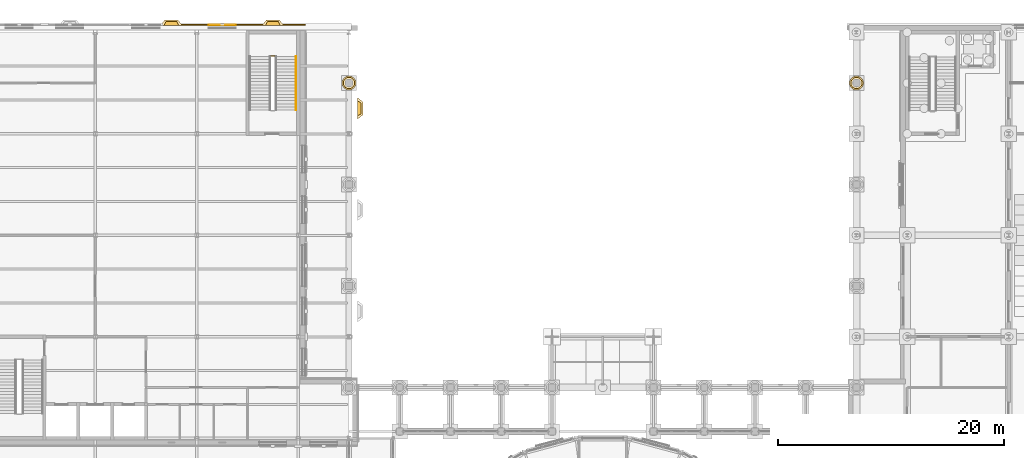
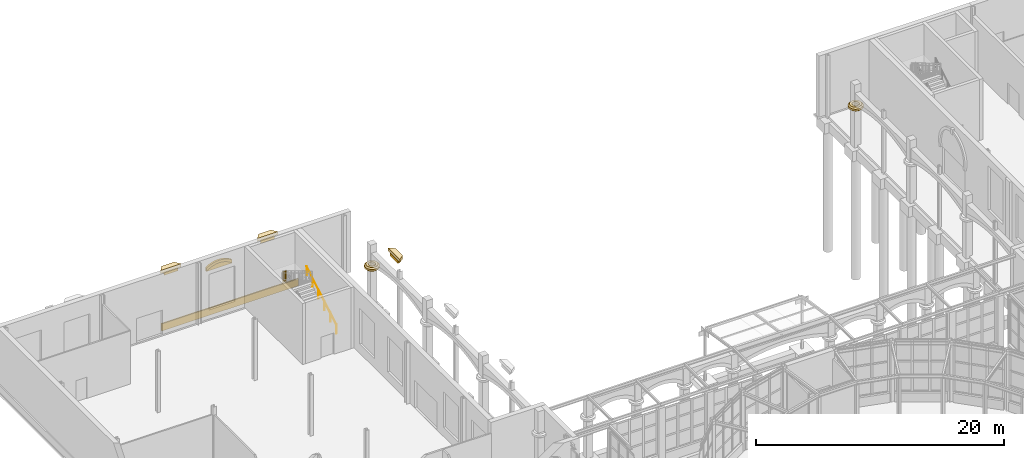
# One storey, part 99 of 106: 11 coverings, 2 railings.
"""IFC4 building model written with IfcOpenShell, lengths in metres."""

from ifc_helpers import new_model, entity, si_unit, direction, frame, origin, origin_2d, place, context, subcontext, project, spatial, polyline, rectangle, circle, outline, extrude, material, layer, layer_set, type_object, element, save


model = new_model("IFC4")

# Units and contexts
model_context = context("Model", 3, precision=1e-05, world=origin(), true_north=direction((0.0, 1.0)))
body_context = subcontext(model_context, "Body", "Model", "MODEL_VIEW")
ifc_project = project(units=[si_unit("LENGTHUNIT", "METRE"), si_unit("AREAUNIT", "SQUARE_METRE"), si_unit("VOLUMEUNIT", "CUBIC_METRE"), si_unit("PLANEANGLEUNIT", "RADIAN"), si_unit("MASSUNIT", "GRAM", prefix="KILO")], contexts=[model_context])

# Site, building, storey
site_placement = place(None, origin())
site = spatial("IfcSite", under=ifc_project, at=site_placement, CompositionType="ELEMENT")
building_placement = place(site_placement, origin())
building = spatial("IfcBuilding", under=site, at=building_placement, Name="Hortulan Conservatory and Botanical Research Centre", CompositionType="ELEMENT")
storey_placement = place(building_placement, origin())
storey = spatial("IfcBuildingStorey", under=building, at=storey_placement, Name="L00", CompositionType="ELEMENT", Elevation=0.0)

# Coverings
ifc_material_1 = material(Name="Sandstone masonry (Hawkesbury yellow block)", Category="masonry")
ifc_layer_1 = layer(ifc_material_1, 0.1201171875)
ifc_layer_set_1 = layer_set([ifc_layer_1], Name="Rusticated Sandstone Base Course 700x120")
covering_type_1 = type_object("IfcCoveringType", Name="Rusticated Sandstone Base Course 700x120", PredefinedType="CLADDING", material=ifc_layer_set_1)
covering_1_placement = place(storey_placement, frame((21.252197265625, 72.67041015625, 0.0), z_axis=(0.0, 0.0, 1.0), x_axis=(1.0, 0.0, 0.0)))
element("IfcCovering", 1, at=covering_1_placement, inside=storey, type_object=covering_type_1, Name="String course", PredefinedType="CLADDING", context=body_context, shape_type="SweptSolid", body=[
    extrude(rectangle(XDim=12.70458984375, YDim=0.1201171875, at=origin_2d()), origin(), (0.0, 0.0, 1.0), 0.699951171875),
])
ifc_layer_2 = layer(ifc_material_1, 0.179931640625)
ifc_layer_set_2 = layer_set([ifc_layer_2], Name="Sandstone Arch Band 250")
covering_type_2 = type_object("IfcCoveringType", Name="Sandstone Arch Band 250", PredefinedType="CLADDING", material=ifc_layer_set_2)
covering_2_placement = place(storey_placement, frame((19.050048828125, 72.700439453125, 4.39990234375), z_axis=(0.0, 0.0, 1.0), x_axis=(1.0, 0.0, 0.0)))
element("IfcCovering", 2, at=covering_2_placement, inside=storey, type_object=covering_type_2, Name="Arched window head", PredefinedType="CLADDING", context=body_context, shape_type="SweptSolid", body=[
    extrude(outline(polyline([(0.0, 0.0), (0.239990234375, 0.17724609375), (0.47998046875, 0.302001953125), (0.719970703125, 0.3857421875), (0.9599609375, 0.434326171875), (1.199951171875, 0.4501953125), (1.43994140625, 0.434326171875), (1.679931640625, 0.3857421875), (1.919921875, 0.302001953125), (2.159912109375, 0.17724609375), (2.39990234375, 0.0), (2.39990234375, 0.31787109375), (2.159912109375, 0.464599609375), (1.919921875, 0.5712890625), (1.679931640625, 0.643798828125), (1.43994140625, 0.686279296875), (1.199951171875, 0.7001953125), (0.9599609375, 0.686279296875), (0.719970703125, 0.643798828125), (0.47998046875, 0.5712890625), (0.239990234375, 0.464599609375), (0.0, 0.31787109375), (0.0, 0.0)])), frame((0.0, 0.08984375, 0.0), z_axis=(0.0, -1.0, 0.0), x_axis=(1.0, 0.0, 0.0)), (0.0, 0.0, 1.0), 0.179931640625),
])
covering_type_3 = type_object("IfcCoveringType", Name="Sandstone Mushroom Capital 1240", PredefinedType="CLADDING", material=ifc_material_1)
covering_3_placement = place(storey_placement, origin())
cartesian_point_1 = entity("IfcCartesianPoint", [0.300048828125, 0.0])
element("IfcCovering", 3, at=covering_3_placement, inside=storey, type_object=covering_type_3, Name="Mushroom capital", PredefinedType="CLADDING", context=body_context, shape_type="SweptSolid", body=[
    entity("IfcRevolvedAreaSolid", entity("IfcArbitraryClosedProfileDef", "AREA", None, entity("IfcPolyline", [cartesian_point_1, entity("IfcCartesianPoint", [0.5, 0.0]), entity("IfcCartesianPoint", [0.6201171875, 0.1201171875]), entity("IfcCartesianPoint", [0.6201171875, 0.280029296875]), entity("IfcCartesianPoint", [0.5, 0.39990234375]), entity("IfcCartesianPoint", [0.300048828125, 0.39990234375]), cartesian_point_1])), entity("IfcAxis2Placement3D", entity("IfcCartesianPoint", [31.5, 67.5, 3.5]), entity("IfcDirection", [0.0, -1.0, 0.0]), entity("IfcDirection", [1.0, 0.0, 0.0])), entity("IfcAxis1Placement", entity("IfcCartesianPoint", [0.0, 0.0, 0.0]), entity("IfcDirection", [0.0, 1.0, 0.0])), 6.283185307179586),
])
covering_4_placement = place(storey_placement, origin())
cartesian_point_2 = entity("IfcCartesianPoint", [0.300048828125, 0.0])
element("IfcCovering", 4, at=covering_4_placement, inside=storey, type_object=covering_type_3, Name="Mushroom capital", PredefinedType="CLADDING", context=body_context, shape_type="SweptSolid", body=[
    entity("IfcRevolvedAreaSolid", entity("IfcArbitraryClosedProfileDef", "AREA", None, entity("IfcPolyline", [cartesian_point_2, entity("IfcCartesianPoint", [0.5, 0.0]), entity("IfcCartesianPoint", [0.6201171875, 0.1201171875]), entity("IfcCartesianPoint", [0.6201171875, 0.280029296875]), entity("IfcCartesianPoint", [0.5, 0.39990234375]), entity("IfcCartesianPoint", [0.300048828125, 0.39990234375]), cartesian_point_2])), entity("IfcAxis2Placement3D", entity("IfcCartesianPoint", [76.5, 67.5, 3.5]), entity("IfcDirection", [0.0, -1.0, 0.0]), entity("IfcDirection", [1.0, 0.0, 0.0])), entity("IfcAxis1Placement", entity("IfcCartesianPoint", [0.0, 0.0, 0.0]), entity("IfcDirection", [0.0, 1.0, 0.0])), 6.283185307179586),
])
covering_type_4 = type_object("IfcCoveringType", Name="Sandstone Oriel Corbel", PredefinedType="CLADDING", material=ifc_material_1)
covering_5_placement = place(storey_placement, frame((0.0, 0.0, 5.699951171875)))
element("IfcCovering", 5, at=covering_5_placement, inside=storey, type_object=covering_type_4, Name="Oriel corbel", PredefinedType="CLADDING", context=body_context, shape_type="SweptSolid", body=[
    extrude(outline(polyline([(14.7900390625, 72.610595703125), (15.174072265625, 73.090576171875), (16.325927734375, 73.090576171875), (16.7099609375, 72.610595703125), (14.7900390625, 72.610595703125)])), origin(), (0.0, 0.0, 1.0), 0.300048828125),
])
covering_6_placement = place(storey_placement, frame((0.0, 0.0, 5.39990234375)))
element("IfcCovering", 6, at=covering_6_placement, inside=storey, type_object=covering_type_4, Name="Oriel corbel", PredefinedType="CLADDING", context=body_context, shape_type="SweptSolid", body=[
    extrude(outline(polyline([(15.090087890625, 72.610595703125), (15.271484375, 72.9404296875), (16.228515625, 72.9404296875), (16.409912109375, 72.610595703125), (15.090087890625, 72.610595703125)])), origin(), (0.0, 0.0, 1.0), 0.300048828125),
])
covering_7_placement = place(storey_placement, frame((0.0, 0.0, 5.699951171875)))
element("IfcCovering", 7, at=covering_7_placement, inside=storey, type_object=covering_type_4, Name="Oriel corbel", PredefinedType="CLADDING", context=body_context, shape_type="SweptSolid", body=[
    extrude(outline(polyline([(23.7900390625, 72.610595703125), (24.174072265625, 73.090576171875), (25.325927734375, 73.090576171875), (25.7099609375, 72.610595703125), (23.7900390625, 72.610595703125)])), origin(), (0.0, 0.0, 1.0), 0.300048828125),
])
covering_8_placement = place(storey_placement, frame((0.0, 0.0, 5.39990234375)))
element("IfcCovering", 8, at=covering_8_placement, inside=storey, type_object=covering_type_4, Name="Oriel corbel", PredefinedType="CLADDING", context=body_context, shape_type="SweptSolid", body=[
    extrude(outline(polyline([(24.090087890625, 72.610595703125), (24.271484375, 72.9404296875), (25.228515625, 72.9404296875), (25.409912109375, 72.610595703125), (24.090087890625, 72.610595703125)])), origin(), (0.0, 0.0, 1.0), 0.300048828125),
])
covering_9_placement = place(storey_placement, frame((0.0, 0.0, 5.699951171875)))
element("IfcCovering", 9, at=covering_9_placement, inside=storey, type_object=covering_type_4, Name="Oriel corbel", PredefinedType="CLADDING", context=body_context, shape_type="SweptSolid", body=[
    extrude(outline(polyline([(32.25, 66.2099609375), (32.72998046875, 65.825927734375), (32.72998046875, 64.674072265625), (32.25, 64.2900390625), (32.25, 66.2099609375)])), origin(), (0.0, 0.0, 1.0), 0.300048828125),
])
covering_10_placement = place(storey_placement, frame((0.0, 0.0, 5.39990234375)))
element("IfcCovering", 10, at=covering_10_placement, inside=storey, type_object=covering_type_4, Name="Oriel corbel", PredefinedType="CLADDING", context=body_context, shape_type="SweptSolid", body=[
    extrude(outline(polyline([(32.25, 65.909912109375), (32.580078125, 65.728515625), (32.580078125, 64.771484375), (32.25, 64.590087890625), (32.25, 65.909912109375)])), origin(), (0.0, 0.0, 1.0), 0.300048828125),
])

# Railings
ifc_material_2 = material(Name="Steel balustrade, bronze-charcoal paint", Category="steel")
railing_type_1 = type_object("IfcRailingType", Name="Stair Guard 1100", PredefinedType="GUARDRAIL", material=ifc_material_2)
railing_1_placement = place(storey_placement, frame((24.89990234375, 69.909912109375, 3.0)))
element("IfcRailing", 11, at=railing_1_placement, inside=storey, type_object=railing_type_1, Name="Guard V2 L00 stair 2", PredefinedType="GUARDRAIL", context=body_context, shape_type="SweptSolid", body=[
    extrude(circle(Radius=0.02392578125, at=origin_2d()), frame((0.0, 0.0, 1.076171875), z_axis=(-1.0, 0.0, 0.0), x_axis=(0.0, -1.0, 0.0)), (0.0, 0.0, 1.0), 0.2998046875),
    extrude(circle(Radius=0.02392578125, at=origin_2d()), frame((0.0, 0.0, 0.1240234375), z_axis=(-1.0, 0.0, 0.0), x_axis=(0.0, -1.0, 0.0)), (0.0, 0.0, 1.0), 0.2998046875),
    extrude(circle(Radius=0.008056640625, at=origin_2d()), frame((-0.099853515625, 0.0, 0.148193359375)), (0.0, 0.0, 1.0), 0.90380859375),
    extrude(circle(Radius=0.008056640625, at=origin_2d()), frame((-0.199951171875, 0.0, 0.148193359375)), (0.0, 0.0, 1.0), 0.90380859375),
    extrude(circle(Radius=0.02099609375, at=origin_2d()), origin(), (0.0, 0.0, 1.0), 1.052001953125),
    extrude(circle(Radius=0.02099609375, at=origin_2d()), frame((-0.2998046875, 0.0, 0.0)), (0.0, 0.0, 1.0), 1.052001953125),
])
ifc_material_3 = material(Name="Bronze handrail, polished", Category="metal")
railing_type_2 = type_object("IfcRailingType", Name="Stair Handrail 900", PredefinedType="HANDRAIL", material=ifc_material_3)
railing_2_placement = place(storey_placement, frame((26.800048828125, 65.10009765625, 0.166748046875)))
element("IfcRailing", 12, at=railing_2_placement, inside=storey, type_object=railing_type_2, Name="Handrail V2 L00 stair 1", PredefinedType="HANDRAIL", context=body_context, shape_type="SweptSolid", body=[
    extrude(circle(Radius=0.02392578125, at=origin_2d()), frame((0.0, 0.0, 0.8759765625), z_axis=(0.0, 0.859299802514, 0.511472237174), x_axis=(-1.0, 0.0, 0.0)), (0.0, 0.0, 1.0), 5.539306640625),
    extrude(circle(Radius=0.02099609375, at=origin_2d()), origin(), (0.0, 0.0, 1.0), 0.851806640625),
    extrude(circle(Radius=0.02099609375, at=origin_2d()), frame((0.0, 0.951904296875, 0.566650390625)), (0.0, 0.0, 1.0), 0.851806640625),
    extrude(circle(Radius=0.02099609375, at=origin_2d()), frame((0.0, 1.904052734375, 1.13330078125)), (0.0, 0.0, 1.0), 0.851806640625),
    extrude(circle(Radius=0.02099609375, at=origin_2d()), frame((0.0, 2.85595703125, 1.699951171875)), (0.0, 0.0, 1.0), 0.851806640625),
    extrude(circle(Radius=0.02099609375, at=origin_2d()), frame((0.0, 3.80810546875, 2.2666015625)), (0.0, 0.0, 1.0), 0.851806640625),
    extrude(circle(Radius=0.02099609375, at=origin_2d()), frame((0.0, 4.760009765625, 2.833251953125)), (0.0, 0.0, 1.0), 0.851806640625),
])

# Covering
ifc_material_4 = material(Name="Faience cladding, harbour teal glaze (non-combustible)", Category="ceramic")
ifc_layer_3 = layer(ifc_material_4, 0.0400390625)
ifc_layer_set_3 = layer_set([ifc_layer_3], Name="Teal Faience Tympanum 40")
covering_type_5 = type_object("IfcCoveringType", Name="Teal Faience Tympanum 40", PredefinedType="CLADDING", material=ifc_layer_set_3)
covering_11_placement = place(storey_placement, frame((19.050048828125, 72.630615234375, 4.39990234375), z_axis=(0.0, 0.0, 1.0), x_axis=(1.0, 0.0, 0.0)))
element("IfcCovering", 13, at=covering_11_placement, inside=storey, type_object=covering_type_5, Name="Faience tympanum", PredefinedType="CLADDING", context=body_context, shape_type="SweptSolid", body=[
    extrude(outline(polyline([(0.0, 0.0), (0.239990234375, 0.17724609375), (0.47998046875, 0.302001953125), (0.719970703125, 0.3857421875), (0.9599609375, 0.434326171875), (1.199951171875, 0.4501953125), (1.43994140625, 0.434326171875), (1.679931640625, 0.3857421875), (1.919921875, 0.302001953125), (2.159912109375, 0.17724609375), (2.39990234375, 0.0), (2.39990234375, 0.0), (0.0, 0.0), (0.0, 0.0)])), frame((0.0, 0.02001953125, 0.0), z_axis=(0.0, -1.0, 0.0), x_axis=(1.0, 0.0, 0.0)), (0.0, 0.0, 1.0), 0.0400390625),
])

save(model, "model.ifc")
